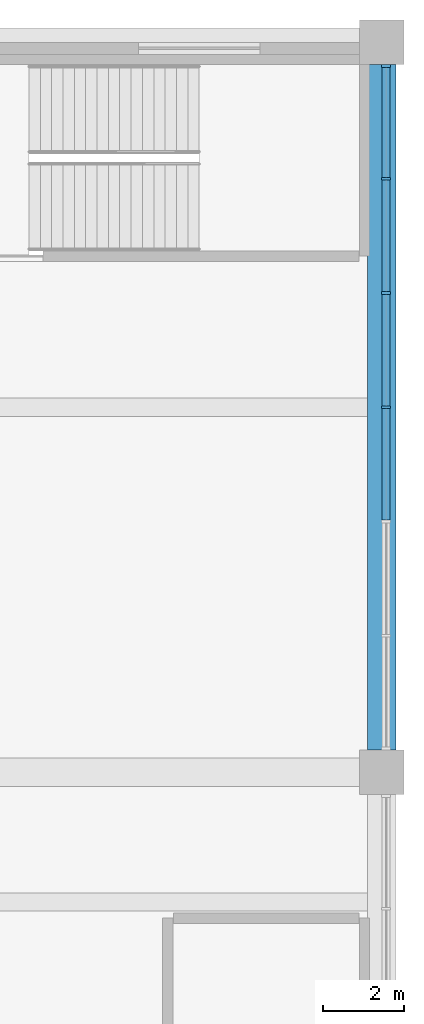
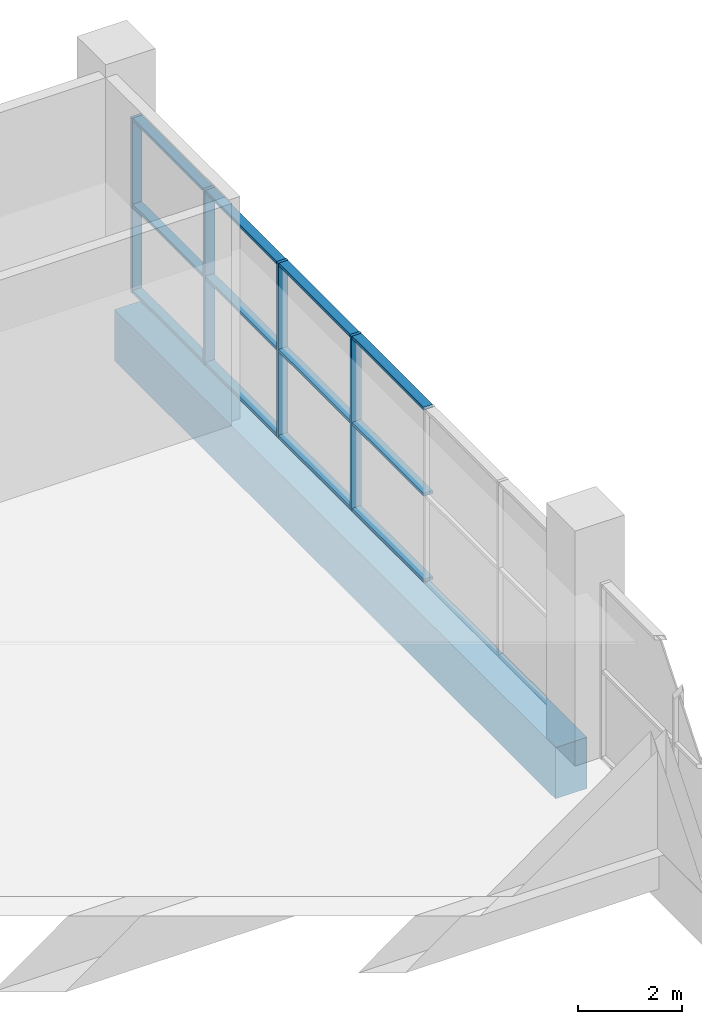
# One storey, part 3 of 16: 16 members, 1 beam, 1 element without a shape of its own.
"""IFC4 building model written with IfcOpenShell, lengths in metres."""

from ifc_helpers import new_model, si_unit, direction, frame, origin, origin_2d, place, context, subcontext, project, spatial, rectangle, extrude, material, material_profile, profile_set, type_object, element, aggregate, save


model = new_model("IFC4")

# Units and contexts
model_context = context("Model", 3, precision=1e-05, world=origin(), true_north=direction((0.0, 1.0)))
body_context = subcontext(model_context, "Body", "Model", "MODEL_VIEW")
ifc_project = project(units=[si_unit("LENGTHUNIT", "METRE"), si_unit("AREAUNIT", "SQUARE_METRE"), si_unit("VOLUMEUNIT", "CUBIC_METRE"), si_unit("PLANEANGLEUNIT", "RADIAN"), si_unit("MASSUNIT", "GRAM", prefix="KILO")], contexts=[model_context])

# Site, building, storey
site_placement = place(None, origin())
site = spatial("IfcSite", under=ifc_project, at=site_placement, CompositionType="ELEMENT")
building_placement = place(site_placement, origin())
building = spatial("IfcBuilding", under=site, at=building_placement, Name="Vanh Sen Convention Tower", CompositionType="ELEMENT")
storey_placement = place(building_placement, frame((0.0, 0.0, 7.5)))
storey = spatial("IfcBuildingStorey", under=building, at=storey_placement, Name="L01", CompositionType="ELEMENT", Elevation=7.5)

# Curtain wall, members
ifc_material_1 = material(Name="Aluminium structural glazing system", Category="aluminium")
curtain_wall_type = type_object("IfcCurtainWallType", Name="Podium hall structural glazing", PredefinedType="NOTDEFINED", material=ifc_material_1)
curtain_wall_placement = place(storey_placement, origin())
curtain_wall = element("IfcCurtainWall", 1, at=curtain_wall_placement, inside=storey, type_object=curtain_wall_type, Name="Podium hall glazing 3 L01", PredefinedType="NOTDEFINED")
ifc_material_2 = material(Name="Aluminium mullion", Category="aluminium")
ifc_material_profile_1 = material_profile(ifc_material_2, rectangle(XDim=0.219970703125, YDim=0.070068359375, at=origin_2d()), Name="Hall glazing mullion 70 x 220")
ifc_profile_set_1 = profile_set([ifc_material_profile_1], Name="Aluminium mullion")
member_type_1 = type_object("IfcMemberType", Name="Hall glazing mullion 70 x 220", PredefinedType="MULLION", material=ifc_profile_set_1)
member_1_placement = place(storey_placement, frame((45.110107421875, 18.0, 0.0), z_axis=(0.0, 0.0, 1.0), x_axis=(-1.0, 0.0, 0.0)))
member_1 = element("IfcMember", 2, at=member_1_placement, type_object=member_type_1, Name="CW4 mullion 4", PredefinedType="MULLION", context=body_context, shape_type="SweptSolid", body=[
    extrude(rectangle(XDim=0.219970703125, YDim=0.070068359375, at=origin_2d()), origin(), (0.0, 0.0, 1.0), 4.10009765625),
])
member_2_placement = place(storey_placement, frame((45.110107421875, 20.816650390625, 0.0), z_axis=(0.0, 0.0, 1.0), x_axis=(-1.0, 0.0, 0.0)))
member_2 = element("IfcMember", 3, at=member_2_placement, type_object=member_type_1, Name="CW4 mullion 5", PredefinedType="MULLION", context=body_context, shape_type="SweptSolid", body=[
    extrude(rectangle(XDim=0.219970703125, YDim=0.070068359375, at=origin_2d()), origin(), (0.0, 0.0, 1.0), 4.10009765625),
])
member_3_placement = place(storey_placement, frame((45.110107421875, 23.63330078125, 0.0), z_axis=(0.0, 0.0, 1.0), x_axis=(-1.0, 0.0, 0.0)))
member_3 = element("IfcMember", 4, at=member_3_placement, type_object=member_type_1, Name="CW4 mullion 6", PredefinedType="MULLION", context=body_context, shape_type="SweptSolid", body=[
    extrude(rectangle(XDim=0.219970703125, YDim=0.070068359375, at=origin_2d()), origin(), (0.0, 0.0, 1.0), 4.10009765625),
])
member_4_placement = place(storey_placement, frame((45.110107421875, 26.4150390625, 0.0), z_axis=(0.0, 0.0, 1.0), x_axis=(-1.0, 0.0, 0.0)))
member_4 = element("IfcMember", 5, at=member_4_placement, type_object=member_type_1, Name="CW4 mullion 7", PredefinedType="MULLION", context=body_context, shape_type="SweptSolid", body=[
    extrude(rectangle(XDim=0.219970703125, YDim=0.070068359375, at=origin_2d()), origin(), (0.0, 0.0, 1.0), 4.10009765625),
])
ifc_material_3 = material(Name="Aluminium transom", Category="aluminium")
ifc_material_profile_2 = material_profile(ifc_material_3, rectangle(XDim=0.199951171875, YDim=0.070068359375, at=origin_2d()), Name="Hall glazing transom 200 x 70")
ifc_profile_set_2 = profile_set([ifc_material_profile_2], Name="Aluminium transom")
member_type_2 = type_object("IfcMemberType", Name="Hall glazing transom 200 x 70", PredefinedType="USERDEFINED", material=ifc_profile_set_2)
member_5_placement = place(storey_placement, frame((45.110107421875, 15.21826171875, 0.034912109375), z_axis=(0.0, 1.0, 0.0), x_axis=(-1.0, 0.0, 0.0)))
member_5 = element("IfcMember", 6, at=member_5_placement, type_object=member_type_2, Name="CW4 transom 3.1", ObjectType="TRANSOM", PredefinedType="USERDEFINED", context=body_context, shape_type="SweptSolid", body=[
    extrude(rectangle(XDim=0.199951171875, YDim=0.070068359375, at=origin_2d()), origin(), (0.0, 0.0, 1.0), 2.746826171875),
])
member_6_placement = place(storey_placement, frame((45.110107421875, 15.21826171875, 2.050048828125), z_axis=(0.0, 1.0, 0.0), x_axis=(-1.0, 0.0, 0.0)))
member_6 = element("IfcMember", 7, at=member_6_placement, type_object=member_type_2, Name="CW4 transom 3.2", ObjectType="TRANSOM", PredefinedType="USERDEFINED", context=body_context, shape_type="SweptSolid", body=[
    extrude(rectangle(XDim=0.199951171875, YDim=0.070068359375, at=origin_2d()), origin(), (0.0, 0.0, 1.0), 2.746826171875),
])
member_7_placement = place(storey_placement, frame((45.110107421875, 15.21826171875, 4.06494140625), z_axis=(0.0, 1.0, 0.0), x_axis=(-1.0, 0.0, 0.0)))
member_7 = element("IfcMember", 8, at=member_7_placement, type_object=member_type_2, Name="CW4 transom 3.3", ObjectType="TRANSOM", PredefinedType="USERDEFINED", context=body_context, shape_type="SweptSolid", body=[
    extrude(rectangle(XDim=0.199951171875, YDim=0.070068359375, at=origin_2d()), origin(), (0.0, 0.0, 1.0), 2.746826171875),
])
member_8_placement = place(storey_placement, frame((45.110107421875, 18.034912109375, 0.034912109375), z_axis=(0.0, 1.0, 0.0), x_axis=(-1.0, 0.0, 0.0)))
member_8 = element("IfcMember", 9, at=member_8_placement, type_object=member_type_2, Name="CW4 transom 4.1", ObjectType="TRANSOM", PredefinedType="USERDEFINED", context=body_context, shape_type="SweptSolid", body=[
    extrude(rectangle(XDim=0.199951171875, YDim=0.070068359375, at=origin_2d()), origin(), (0.0, 0.0, 1.0), 2.746826171875),
])
member_9_placement = place(storey_placement, frame((45.110107421875, 18.034912109375, 2.050048828125), z_axis=(0.0, 1.0, 0.0), x_axis=(-1.0, 0.0, 0.0)))
member_9 = element("IfcMember", 10, at=member_9_placement, type_object=member_type_2, Name="CW4 transom 4.2", ObjectType="TRANSOM", PredefinedType="USERDEFINED", context=body_context, shape_type="SweptSolid", body=[
    extrude(rectangle(XDim=0.199951171875, YDim=0.070068359375, at=origin_2d()), origin(), (0.0, 0.0, 1.0), 2.746826171875),
])
member_10_placement = place(storey_placement, frame((45.110107421875, 18.034912109375, 4.06494140625), z_axis=(0.0, 1.0, 0.0), x_axis=(-1.0, 0.0, 0.0)))
member_10 = element("IfcMember", 11, at=member_10_placement, type_object=member_type_2, Name="CW4 transom 4.3", ObjectType="TRANSOM", PredefinedType="USERDEFINED", context=body_context, shape_type="SweptSolid", body=[
    extrude(rectangle(XDim=0.199951171875, YDim=0.070068359375, at=origin_2d()), origin(), (0.0, 0.0, 1.0), 2.746826171875),
])
member_11_placement = place(storey_placement, frame((45.110107421875, 20.8515625, 0.034912109375), z_axis=(0.0, 1.0, 0.0), x_axis=(-1.0, 0.0, 0.0)))
member_11 = element("IfcMember", 12, at=member_11_placement, type_object=member_type_2, Name="CW4 transom 5.1", ObjectType="TRANSOM", PredefinedType="USERDEFINED", context=body_context, shape_type="SweptSolid", body=[
    extrude(rectangle(XDim=0.199951171875, YDim=0.070068359375, at=origin_2d()), origin(), (0.0, 0.0, 1.0), 2.746826171875),
])
member_12_placement = place(storey_placement, frame((45.110107421875, 20.8515625, 2.050048828125), z_axis=(0.0, 1.0, 0.0), x_axis=(-1.0, 0.0, 0.0)))
member_12 = element("IfcMember", 13, at=member_12_placement, type_object=member_type_2, Name="CW4 transom 5.2", ObjectType="TRANSOM", PredefinedType="USERDEFINED", context=body_context, shape_type="SweptSolid", body=[
    extrude(rectangle(XDim=0.199951171875, YDim=0.070068359375, at=origin_2d()), origin(), (0.0, 0.0, 1.0), 2.746826171875),
])
member_13_placement = place(storey_placement, frame((45.110107421875, 20.8515625, 4.06494140625), z_axis=(0.0, 1.0, 0.0), x_axis=(-1.0, 0.0, 0.0)))
member_13 = element("IfcMember", 14, at=member_13_placement, type_object=member_type_2, Name="CW4 transom 5.3", ObjectType="TRANSOM", PredefinedType="USERDEFINED", context=body_context, shape_type="SweptSolid", body=[
    extrude(rectangle(XDim=0.199951171875, YDim=0.070068359375, at=origin_2d()), origin(), (0.0, 0.0, 1.0), 2.746826171875),
])
member_14_placement = place(storey_placement, frame((45.110107421875, 23.668212890625, 0.034912109375), z_axis=(0.0, 1.0, 0.0), x_axis=(-1.0, 0.0, 0.0)))
member_14 = element("IfcMember", 15, at=member_14_placement, type_object=member_type_2, Name="CW4 transom 6.1", ObjectType="TRANSOM", PredefinedType="USERDEFINED", context=body_context, shape_type="SweptSolid", body=[
    extrude(rectangle(XDim=0.199951171875, YDim=0.070068359375, at=origin_2d()), origin(), (0.0, 0.0, 1.0), 2.711669921875),
])
member_15_placement = place(storey_placement, frame((45.110107421875, 23.668212890625, 2.050048828125), z_axis=(0.0, 1.0, 0.0), x_axis=(-1.0, 0.0, 0.0)))
member_15 = element("IfcMember", 16, at=member_15_placement, type_object=member_type_2, Name="CW4 transom 6.2", ObjectType="TRANSOM", PredefinedType="USERDEFINED", context=body_context, shape_type="SweptSolid", body=[
    extrude(rectangle(XDim=0.199951171875, YDim=0.070068359375, at=origin_2d()), origin(), (0.0, 0.0, 1.0), 2.711669921875),
])
member_16_placement = place(storey_placement, frame((45.110107421875, 23.668212890625, 4.06494140625), z_axis=(0.0, 1.0, 0.0), x_axis=(-1.0, 0.0, 0.0)))
member_16 = element("IfcMember", 17, at=member_16_placement, type_object=member_type_2, Name="CW4 transom 6.3", ObjectType="TRANSOM", PredefinedType="USERDEFINED", context=body_context, shape_type="SweptSolid", body=[
    extrude(rectangle(XDim=0.199951171875, YDim=0.070068359375, at=origin_2d()), origin(), (0.0, 0.0, 1.0), 2.711669921875),
])
aggregate(curtain_wall, [member_1, member_2, member_3, member_4, member_5, member_6, member_7, member_8, member_9, member_10, member_11, member_12, member_13, member_14, member_15, member_16])

# Beam
ifc_material_4 = material(Name="Concrete C50/60", Category="concrete")
ifc_material_profile_3 = material_profile(ifc_material_4, rectangle(XDim=0.699951171875, YDim=1.199951171875, at=origin_2d()), Name="RC 700X1200")
ifc_profile_set_3 = profile_set([ifc_material_profile_3], Name="Concrete C50/60")
beam_type = type_object("IfcBeamType", Name="Podium girder 700 x 1200", PredefinedType="BEAM", material=ifc_profile_set_3)
beam_placement = place(storey_placement, frame((45.0, 9.544921875, -0.89990234375), z_axis=(0.0, 1.0, 0.0), x_axis=(-1.0, 0.0, 0.0)))
element("IfcBeam", 18, at=beam_placement, inside=storey, type_object=beam_type, Name="Podium girder 13 L01", PredefinedType="BEAM", context=body_context, shape_type="SweptSolid", body=[
    extrude(rectangle(XDim=0.699951171875, YDim=1.199951171875, at=origin_2d()), origin(), (0.0, 0.0, 1.0), 16.91015625),
])

save(model, "model.ifc")
